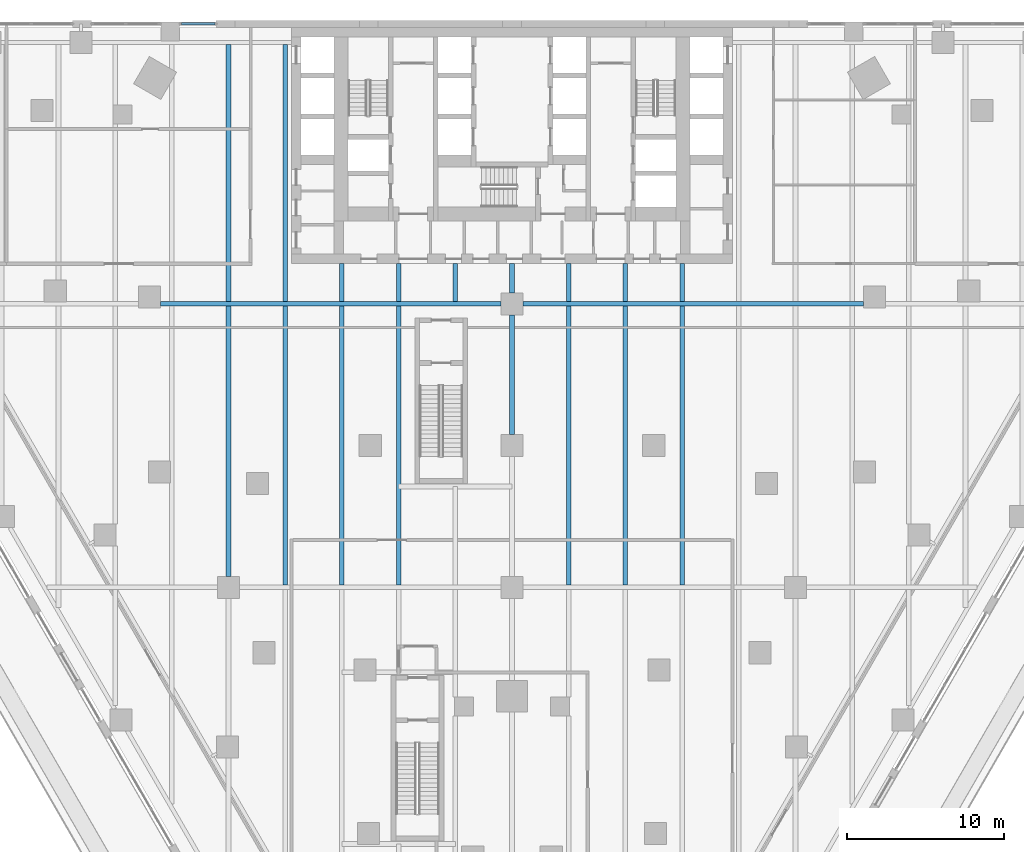
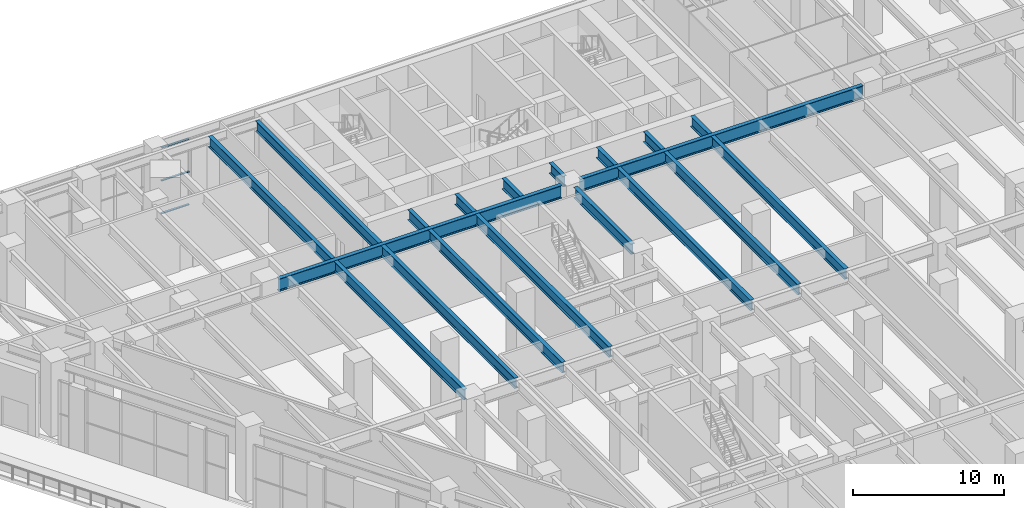
# One storey, part 13 of 40: 19 beams, 3 members, 1 element without a shape of its own.
"""IFC4 building model written with IfcOpenShell, lengths in metres."""

from ifc_helpers import new_model, si_unit, direction, frame, origin, origin_2d, place, context, subcontext, project, spatial, rectangle, i_section, extrude, material, material_profile, profile_set, type_object, element, aggregate, save


model = new_model("IFC4")

# Units and contexts
model_context = context("Model", 3, precision=1e-05, world=origin(), true_north=direction((0.0, 1.0)))
body_context = subcontext(model_context, "Body", "Model", "MODEL_VIEW")
ifc_project = project(units=[si_unit("LENGTHUNIT", "METRE"), si_unit("AREAUNIT", "SQUARE_METRE"), si_unit("VOLUMEUNIT", "CUBIC_METRE"), si_unit("PLANEANGLEUNIT", "RADIAN"), si_unit("MASSUNIT", "GRAM", prefix="KILO")], contexts=[model_context])

# Site, building, storey
site_placement = place(None, origin())
site = spatial("IfcSite", under=ifc_project, at=site_placement, CompositionType="ELEMENT")
building_placement = place(site_placement, origin())
building = spatial("IfcBuilding", under=site, at=building_placement, Name="Aloe Facet Convention Tower", CompositionType="ELEMENT")
storey_placement = place(building_placement, frame((0.0, 0.0, 13.5)))
storey = spatial("IfcBuildingStorey", under=building, at=storey_placement, Name="L02", CompositionType="ELEMENT", Elevation=13.5)

# Curtain wall, members
ifc_material_1 = material(Name="Aluminium, anodised", Category="aluminium")
curtain_wall_type = type_object("IfcCurtainWallType", Name="EV-CW-HALL", PredefinedType="USERDEFINED", material=ifc_material_1)
curtain_wall_placement = place(storey_placement, origin())
curtain_wall = element("IfcCurtainWall", 1, at=curtain_wall_placement, inside=storey, type_object=curtain_wall_type, Name="CW-L02-N16-1", ObjectType="UNITISED HALL GLAZING", PredefinedType="USERDEFINED")
ifc_material_2 = material(Name="Aluminium, anodised", Category="aluminium")
ifc_material_profile_1 = material_profile(ifc_material_2, rectangle(XDim=0.159912109375, YDim=0.06494140625, at=origin_2d()), Name="AL 160x65")
ifc_profile_set_1 = profile_set([ifc_material_profile_1], Name="Aluminium, anodised")
member_type = type_object("IfcMemberType", Name="EV-TRAN-HALL", PredefinedType="USERDEFINED", material=ifc_profile_set_1)
member_1_placement = place(storey_placement, frame((61.137451171875, 134.77490234375, -0.267578125), z_axis=(-1.0, 0.0, 0.0), x_axis=(0.0, -1.0, 0.0)))
member_1 = element("IfcMember", 2, at=member_1_placement, type_object=member_type, Name="CW-L02-N16-1 transom 1.1", ObjectType="TRANSOM", PredefinedType="USERDEFINED", context=body_context, shape_type="SweptSolid", body=[
    extrude(rectangle(XDim=0.159912109375, YDim=0.06494140625, at=origin_2d()), origin(), (0.0, 0.0, 1.0), 2.12255859375),
])
member_2_placement = place(storey_placement, frame((61.137451171875, 134.77490234375, 2.38134765625), z_axis=(-1.0, 0.0, 0.0), x_axis=(0.0, -1.0, 0.0)))
member_2 = element("IfcMember", 3, at=member_2_placement, type_object=member_type, Name="CW-L02-N16-1 transom 1.2", ObjectType="TRANSOM", PredefinedType="USERDEFINED", context=body_context, shape_type="SweptSolid", body=[
    extrude(rectangle(XDim=0.159912109375, YDim=0.06494140625, at=origin_2d()), origin(), (0.0, 0.0, 1.0), 2.12255859375),
])
member_3_placement = place(storey_placement, frame((61.137451171875, 134.77490234375, 5.030029296875), z_axis=(-1.0, 0.0, 0.0), x_axis=(0.0, -1.0, 0.0)))
member_3 = element("IfcMember", 4, at=member_3_placement, type_object=member_type, Name="CW-L02-N16-1 transom 1.3", ObjectType="TRANSOM", PredefinedType="USERDEFINED", context=body_context, shape_type="SweptSolid", body=[
    extrude(rectangle(XDim=0.159912109375, YDim=0.06494140625, at=origin_2d()), origin(), (0.0, 0.0, 1.0), 2.12255859375),
])
aggregate(curtain_wall, [member_1, member_2, member_3])

# Beams
ifc_material_3 = material(Name="Steel S355", Category="steel")
ifc_material_profile_2 = material_profile(ifc_material_3, i_section(OverallWidth=0.305419921875, OverallDepth=1.02587890625, WebThickness=0.02001953125, FlangeThickness=0.031005859375, FilletRadius=0.030029296875, at=origin_2d()), Name="UB 1016x305x349")
ifc_profile_set_2 = profile_set([ifc_material_profile_2], Name="Steel S355")
beam_type_1 = type_object("IfcBeamType", Name="SF-B-UB1016x305x349", PredefinedType="BEAM", material=ifc_profile_set_2)
for number, where, z_axis, x_axis, name in (
    (5, (57.68408203125, 117.0, 5.237060546875), (1.0, 0.0, 0.0), (0.0, 1.0, 0.0), "Floor beam FB-L03-029"),
    (6, (80.699951171875, 117.0, 5.237060546875), (1.0, 0.0, 0.0), (0.0, 1.0, 0.0), "Floor beam FB-L03-036"),
):
    element("IfcBeam", number, at=place(storey_placement, frame(where, z_axis=z_axis, x_axis=x_axis)), inside=storey, type_object=beam_type_1, Name=name, PredefinedType="BEAM", context=body_context, shape_type="SweptSolid", body=[
        extrude(i_section(OverallWidth=0.305419921875, OverallDepth=1.02587890625, WebThickness=0.02001953125, FlangeThickness=0.031005859375, FilletRadius=0.030029296875, at=origin_2d()), origin(), (0.0, 0.0, 1.0), 21.615966796875),
    ])
ifc_material_4 = material(Name="Steel S355", Category="steel")
ifc_material_profile_3 = material_profile(ifc_material_4, i_section(OverallWidth=0.293701171875, OverallDepth=0.850830078125, WebThickness=0.01611328125, FlangeThickness=0.02685546875, FilletRadius=0.017822265625, at=origin_2d()), Name="UB 838x292x226")
ifc_profile_set_3 = profile_set([ifc_material_profile_3], Name="Steel S355")
beam_type_2 = type_object("IfcBeamType", Name="SF-B-UB838x292x226", PredefinedType="BEAM", material=ifc_profile_set_3)
beam_1_placement = place(storey_placement, frame((62.0, 99.699951171875, 5.324462890625), z_axis=(0.0, 1.0, 0.0), x_axis=(-1.0, 0.0, 0.0)))
element("IfcBeam", 7, at=beam_1_placement, inside=storey, type_object=beam_type_2, Name="Floor beam FB-L03-061", PredefinedType="BEAM", context=body_context, shape_type="SweptSolid", body=[
    extrude(i_section(OverallWidth=0.293701171875, OverallDepth=0.850830078125, WebThickness=0.01611328125, FlangeThickness=0.02685546875, FilletRadius=0.017822265625, at=origin_2d()), origin(), (0.0, 0.0, 1.0), 17.1474609375),
])
beam_2_placement = place(storey_placement, frame((62.0, 117.152587890625, 5.324462890625), z_axis=(0.0, 1.0, 0.0), x_axis=(-1.0, 0.0, 0.0)))
element("IfcBeam", 8, at=beam_2_placement, inside=storey, type_object=beam_type_2, Name="Floor beam FB-L03-062", PredefinedType="BEAM", context=body_context, shape_type="SweptSolid", body=[
    extrude(i_section(OverallWidth=0.293701171875, OverallDepth=0.850830078125, WebThickness=0.01611328125, FlangeThickness=0.02685546875, FilletRadius=0.017822265625, at=origin_2d()), origin(), (0.0, 0.0, 1.0), 16.31005859375),
])
beam_3_placement = place(storey_placement, frame((65.60009765625, 99.152587890625, 5.324462890625), z_axis=(0.0, 1.0, 0.0), x_axis=(-1.0, 0.0, 0.0)))
element("IfcBeam", 9, at=beam_3_placement, inside=storey, type_object=beam_type_2, Name="Floor beam FB-L03-065", PredefinedType="BEAM", context=body_context, shape_type="SweptSolid", body=[
    extrude(i_section(OverallWidth=0.293701171875, OverallDepth=0.850830078125, WebThickness=0.01611328125, FlangeThickness=0.02685546875, FilletRadius=0.017822265625, at=origin_2d()), origin(), (0.0, 0.0, 1.0), 17.69482421875),
])
beam_4_placement = place(storey_placement, frame((65.60009765625, 117.152587890625, 5.324462890625), z_axis=(0.0, 1.0, 0.0), x_axis=(-1.0, 0.0, 0.0)))
element("IfcBeam", 10, at=beam_4_placement, inside=storey, type_object=beam_type_2, Name="Floor beam FB-L03-066", PredefinedType="BEAM", context=body_context, shape_type="SweptSolid", body=[
    extrude(i_section(OverallWidth=0.293701171875, OverallDepth=0.850830078125, WebThickness=0.01611328125, FlangeThickness=0.02685546875, FilletRadius=0.017822265625, at=origin_2d()), origin(), (0.0, 0.0, 1.0), 16.31005859375),
])
beam_5_placement = place(storey_placement, frame((69.199951171875, 99.152587890625, 5.324462890625), z_axis=(0.0, 1.0, 0.0), x_axis=(-1.0, 0.0, 0.0)))
element("IfcBeam", 11, at=beam_5_placement, inside=storey, type_object=beam_type_2, Name="Floor beam FB-L03-072", PredefinedType="BEAM", context=body_context, shape_type="SweptSolid", body=[
    extrude(i_section(OverallWidth=0.293701171875, OverallDepth=0.850830078125, WebThickness=0.01611328125, FlangeThickness=0.02685546875, FilletRadius=0.017822265625, at=origin_2d()), origin(), (0.0, 0.0, 1.0), 17.69482421875),
])
beam_6_placement = place(storey_placement, frame((69.199951171875, 117.152587890625, 5.324462890625), z_axis=(0.0, 1.0, 0.0), x_axis=(-1.0, 0.0, 0.0)))
element("IfcBeam", 12, at=beam_6_placement, inside=storey, type_object=beam_type_2, Name="Floor beam FB-L03-073", PredefinedType="BEAM", context=body_context, shape_type="SweptSolid", body=[
    extrude(i_section(OverallWidth=0.293701171875, OverallDepth=0.850830078125, WebThickness=0.01611328125, FlangeThickness=0.02685546875, FilletRadius=0.017822265625, at=origin_2d()), origin(), (0.0, 0.0, 1.0), 2.3974609375),
])
beam_7_placement = place(storey_placement, frame((72.800048828125, 99.152587890625, 5.324462890625), z_axis=(0.0, 1.0, 0.0), x_axis=(-1.0, 0.0, 0.0)))
element("IfcBeam", 13, at=beam_7_placement, inside=storey, type_object=beam_type_2, Name="Floor beam FB-L03-078", PredefinedType="BEAM", context=body_context, shape_type="SweptSolid", body=[
    extrude(i_section(OverallWidth=0.293701171875, OverallDepth=0.850830078125, WebThickness=0.01611328125, FlangeThickness=0.02685546875, FilletRadius=0.017822265625, at=origin_2d()), origin(), (0.0, 0.0, 1.0), 17.69482421875),
])
for number, where, z_axis, x_axis, name in (
    (14, (72.800048828125, 117.152587890625, 5.324462890625), (0.0, 1.0, 0.0), (-1.0, 0.0, 0.0), "Floor beam FB-L03-080"),
    (15, (76.39990234375, 117.152587890625, 5.324462890625), (0.0, 1.0, 0.0), (-1.0, 0.0, 0.0), "Floor beam FB-L03-086"),
):
    element("IfcBeam", number, at=place(storey_placement, frame(where, z_axis=z_axis, x_axis=x_axis)), inside=storey, type_object=beam_type_2, Name=name, PredefinedType="BEAM", context=body_context, shape_type="SweptSolid", body=[
        extrude(i_section(OverallWidth=0.293701171875, OverallDepth=0.850830078125, WebThickness=0.01611328125, FlangeThickness=0.02685546875, FilletRadius=0.017822265625, at=origin_2d()), origin(), (0.0, 0.0, 1.0), 2.3974609375),
    ])
beam_8_placement = place(storey_placement, frame((80.0, 108.699951171875, 5.324462890625), z_axis=(0.0, 1.0, 0.0), x_axis=(-1.0, 0.0, 0.0)))
element("IfcBeam", 16, at=beam_8_placement, inside=storey, type_object=beam_type_2, Name="Floor beam FB-L03-091", PredefinedType="BEAM", context=body_context, shape_type="SweptSolid", body=[
    extrude(i_section(OverallWidth=0.293701171875, OverallDepth=0.850830078125, WebThickness=0.01611328125, FlangeThickness=0.02685546875, FilletRadius=0.017822265625, at=origin_2d()), origin(), (0.0, 0.0, 1.0), 7.60009765625),
])
beam_9_placement = place(storey_placement, frame((80.0, 117.699951171875, 5.324462890625), z_axis=(0.0, 1.0, 0.0), x_axis=(-1.0, 0.0, 0.0)))
element("IfcBeam", 17, at=beam_9_placement, inside=storey, type_object=beam_type_2, Name="Floor beam FB-L03-092", PredefinedType="BEAM", context=body_context, shape_type="SweptSolid", body=[
    extrude(i_section(OverallWidth=0.293701171875, OverallDepth=0.850830078125, WebThickness=0.01611328125, FlangeThickness=0.02685546875, FilletRadius=0.017822265625, at=origin_2d()), origin(), (0.0, 0.0, 1.0), 1.85009765625),
])
beam_10_placement = place(storey_placement, frame((83.60009765625, 99.152587890625, 5.324462890625), z_axis=(0.0, 1.0, 0.0), x_axis=(-1.0, 0.0, 0.0)))
element("IfcBeam", 18, at=beam_10_placement, inside=storey, type_object=beam_type_2, Name="Floor beam FB-L03-097", PredefinedType="BEAM", context=body_context, shape_type="SweptSolid", body=[
    extrude(i_section(OverallWidth=0.293701171875, OverallDepth=0.850830078125, WebThickness=0.01611328125, FlangeThickness=0.02685546875, FilletRadius=0.017822265625, at=origin_2d()), origin(), (0.0, 0.0, 1.0), 17.69482421875),
])
beam_11_placement = place(storey_placement, frame((83.60009765625, 117.152587890625, 5.324462890625), z_axis=(0.0, 1.0, 0.0), x_axis=(-1.0, 0.0, 0.0)))
element("IfcBeam", 19, at=beam_11_placement, inside=storey, type_object=beam_type_2, Name="Floor beam FB-L03-098", PredefinedType="BEAM", context=body_context, shape_type="SweptSolid", body=[
    extrude(i_section(OverallWidth=0.293701171875, OverallDepth=0.850830078125, WebThickness=0.01611328125, FlangeThickness=0.02685546875, FilletRadius=0.017822265625, at=origin_2d()), origin(), (0.0, 0.0, 1.0), 2.3974609375),
])
beam_12_placement = place(storey_placement, frame((87.199951171875, 99.152587890625, 5.324462890625), z_axis=(0.0, 1.0, 0.0), x_axis=(-1.0, 0.0, 0.0)))
element("IfcBeam", 20, at=beam_12_placement, inside=storey, type_object=beam_type_2, Name="Floor beam FB-L03-102", PredefinedType="BEAM", context=body_context, shape_type="SweptSolid", body=[
    extrude(i_section(OverallWidth=0.293701171875, OverallDepth=0.850830078125, WebThickness=0.01611328125, FlangeThickness=0.02685546875, FilletRadius=0.017822265625, at=origin_2d()), origin(), (0.0, 0.0, 1.0), 17.69482421875),
])
beam_13_placement = place(storey_placement, frame((87.199951171875, 117.152587890625, 5.324462890625), z_axis=(0.0, 1.0, 0.0), x_axis=(-1.0, 0.0, 0.0)))
element("IfcBeam", 21, at=beam_13_placement, inside=storey, type_object=beam_type_2, Name="Floor beam FB-L03-103", PredefinedType="BEAM", context=body_context, shape_type="SweptSolid", body=[
    extrude(i_section(OverallWidth=0.293701171875, OverallDepth=0.850830078125, WebThickness=0.01611328125, FlangeThickness=0.02685546875, FilletRadius=0.017822265625, at=origin_2d()), origin(), (0.0, 0.0, 1.0), 2.3974609375),
])
beam_14_placement = place(storey_placement, frame((90.800048828125, 99.152587890625, 5.324462890625), z_axis=(0.0, 1.0, 0.0), x_axis=(-1.0, 0.0, 0.0)))
element("IfcBeam", 22, at=beam_14_placement, inside=storey, type_object=beam_type_2, Name="Floor beam FB-L03-107", PredefinedType="BEAM", context=body_context, shape_type="SweptSolid", body=[
    extrude(i_section(OverallWidth=0.293701171875, OverallDepth=0.850830078125, WebThickness=0.01611328125, FlangeThickness=0.02685546875, FilletRadius=0.017822265625, at=origin_2d()), origin(), (0.0, 0.0, 1.0), 17.69482421875),
])
beam_15_placement = place(storey_placement, frame((90.800048828125, 117.152587890625, 5.324462890625), z_axis=(0.0, 1.0, 0.0), x_axis=(-1.0, 0.0, 0.0)))
element("IfcBeam", 23, at=beam_15_placement, inside=storey, type_object=beam_type_2, Name="Floor beam FB-L03-108", PredefinedType="BEAM", context=body_context, shape_type="SweptSolid", body=[
    extrude(i_section(OverallWidth=0.293701171875, OverallDepth=0.850830078125, WebThickness=0.01611328125, FlangeThickness=0.02685546875, FilletRadius=0.017822265625, at=origin_2d()), origin(), (0.0, 0.0, 1.0), 2.3974609375),
])

save(model, "model.ifc")
